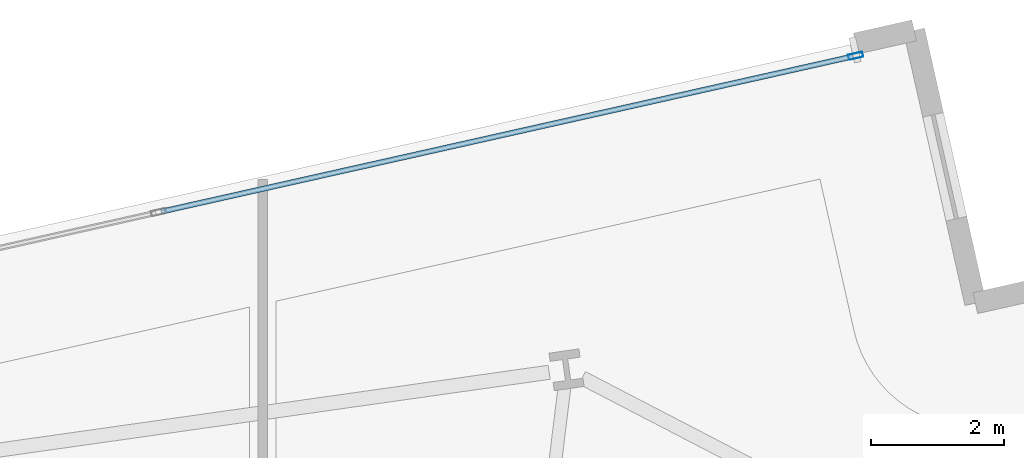
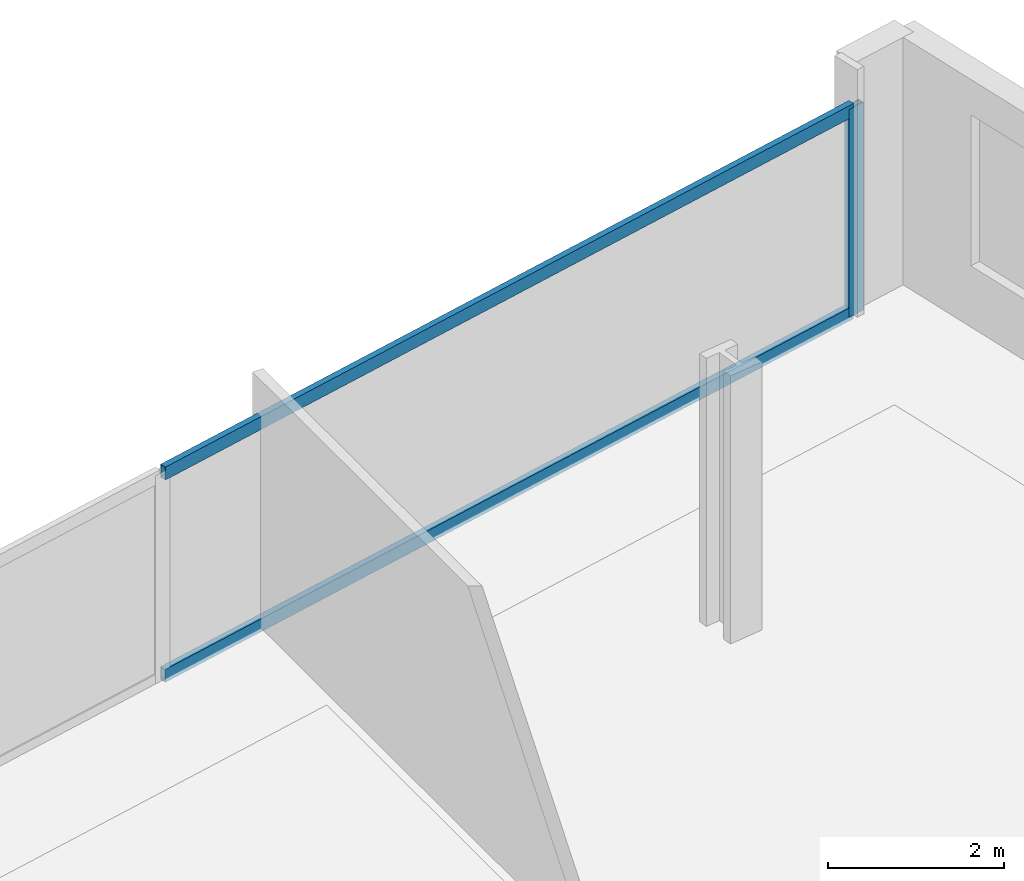
# One storey, part 21 of 32: 3 members, 1 element without a shape of its own.
"""IFC4 building model written with IfcOpenShell, lengths in metres."""

from ifc_helpers import new_model, si_unit, direction, frame, origin, origin_2d, place, context, subcontext, project, spatial, hollow_rectangle, extrude, material, material_profile, profile_set, type_object, element, aggregate, save


model = new_model("IFC4")

# Units and contexts
model_context = context("Model", 3, precision=1e-05, world=origin(), true_north=direction((0.0, 1.0)))
body_context = subcontext(model_context, "Body", "Model", "MODEL_VIEW")
ifc_project = project(units=[si_unit("LENGTHUNIT", "METRE"), si_unit("AREAUNIT", "SQUARE_METRE"), si_unit("VOLUMEUNIT", "CUBIC_METRE"), si_unit("PLANEANGLEUNIT", "RADIAN"), si_unit("MASSUNIT", "GRAM", prefix="KILO")], contexts=[model_context])

# Site, building, storey
site_placement = place(None, origin())
site = spatial("IfcSite", under=ifc_project, at=site_placement, CompositionType="ELEMENT")
building_placement = place(site_placement, origin())
building = spatial("IfcBuilding", under=site, at=building_placement, Name="Haldenkirk Collegiate Tower", CompositionType="ELEMENT")
storey_placement = place(building_placement, frame((0.0, 0.0, 70.199951171875)))
storey = spatial("IfcBuildingStorey", under=building, at=storey_placement, Name="L16", CompositionType="ELEMENT", Elevation=70.199951171875)

# Curtain wall, members
ifc_material = material(Name="Anodised architectural bronze aluminium", Category="aluminium")
curtain_wall_type = type_object("IfcCurtainWallType", Name="CW-SYS1-CONVEX-LOW", PredefinedType="USERDEFINED", material=ifc_material)
curtain_wall_placement = place(storey_placement, origin())
curtain_wall = element("IfcCurtainWall", 1, at=curtain_wall_placement, inside=storey, type_object=curtain_wall_type, Name="L16 Lower tower convex bronze-framed unitised curtain wall", ObjectType="UNITISED CURTAIN WALL", PredefinedType="USERDEFINED")
ifc_material_profile_1 = material_profile(ifc_material, hollow_rectangle(XDim=0.080078125, YDim=0.219970703125, WallThickness=0.0048828125, at=origin_2d()), Name="CW-MUL-1A")
ifc_profile_set_1 = profile_set([ifc_material_profile_1], Name="Anodised architectural bronze aluminium")
member_type_1 = type_object("IfcMemberType", Name="CW-MUL-1A", PredefinedType="MULLION", material=ifc_profile_set_1)
member_1_placement = place(storey_placement, frame((51.409912109375, 55.562255859375, 0.0), z_axis=(0.0, 0.0, 1.0), x_axis=(-0.218995787492, 0.975725804241, 0.0)))
member_1 = element("IfcMember", 2, at=member_1_placement, type_object=member_type_1, Name="CW-1A mullion 5", PredefinedType="MULLION", context=body_context, shape_type="SweptSolid", body=[
    extrude(hollow_rectangle(XDim=0.080078125, YDim=0.219970703125, WallThickness=0.0048828125, at=origin_2d()), origin(), (0.0, 0.0, 1.0), 2.89111328125),
])
ifc_material_profile_2 = material_profile(ifc_material, hollow_rectangle(XDim=0.080078125, YDim=0.179931640625, WallThickness=0.0048828125, at=origin_2d()), Name="CW-TRN-1A")
ifc_profile_set_2 = profile_set([ifc_material_profile_2], Name="Anodised architectural bronze aluminium")
member_type_2 = type_object("IfcMemberType", Name="CW-TRN-1A", PredefinedType="USERDEFINED", material=ifc_profile_set_2)
member_2_placement = place(storey_placement, frame((40.974609375, 53.22021484375, 0.0400390625), z_axis=(0.975728243455, 0.218984919397, 0.0), x_axis=(-0.218984919397, 0.975728243455, 0.0)))
member_2 = element("IfcMember", 3, at=member_2_placement, type_object=member_type_2, Name="CW-1A transom 4.1", ObjectType="TRANSOM", PredefinedType="USERDEFINED", context=body_context, shape_type="SweptSolid", body=[
    extrude(hollow_rectangle(XDim=0.080078125, YDim=0.179931640625, WallThickness=0.0048828125, at=origin_2d()), origin(), (0.0, 0.0, 1.0), 10.65478515625),
])
member_3_placement = place(storey_placement, frame((40.974609375, 53.22021484375, 2.85107421875), z_axis=(0.975728243455, 0.218984919397, 0.0), x_axis=(-0.218984919397, 0.975728243455, 0.0)))
member_3 = element("IfcMember", 4, at=member_3_placement, type_object=member_type_2, Name="CW-1A transom 4.2", ObjectType="TRANSOM", PredefinedType="USERDEFINED", context=body_context, shape_type="SweptSolid", body=[
    extrude(hollow_rectangle(XDim=0.080078125, YDim=0.179931640625, WallThickness=0.0048828125, at=origin_2d()), origin(), (0.0, 0.0, 1.0), 10.65478515625),
])
aggregate(curtain_wall, [member_1, member_2, member_3])

save(model, "model.ifc")
